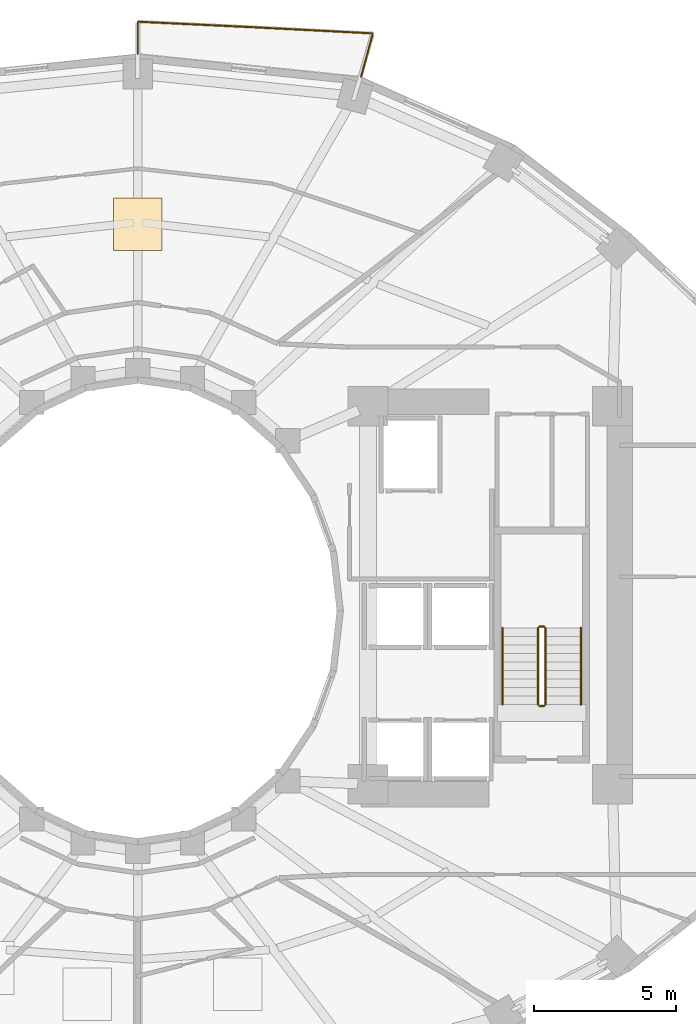
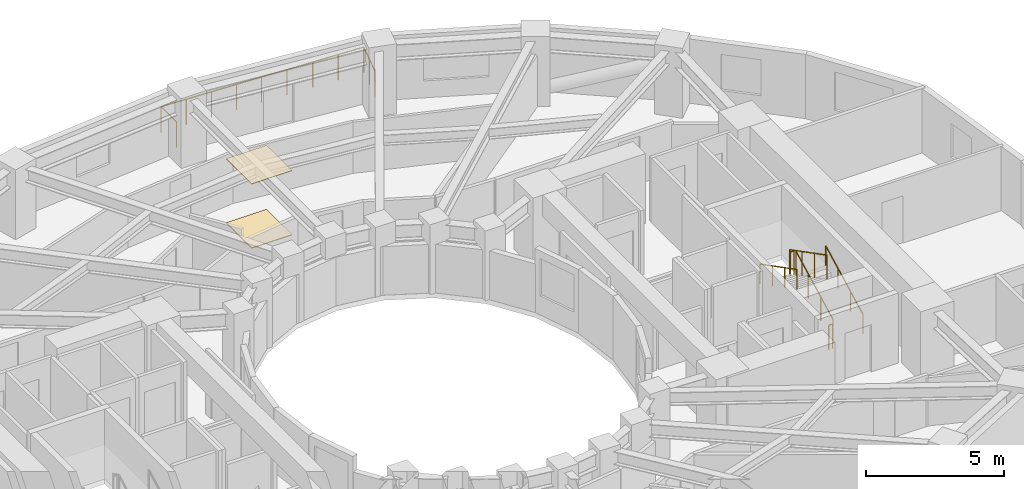
# One storey, part 9 of 9: 7 railings, 2 coverings.
"""IFC4 building model written with IfcOpenShell, lengths in metres."""

from ifc_helpers import new_model, si_unit, direction, frame, origin, origin_2d, place, context, subcontext, project, spatial, polyline, circle, outline, extrude, material, layer, layer_set, type_object, element, save


model = new_model("IFC4")

# Units and contexts
model_context = context("Model", 3, precision=1e-05, world=origin(), true_north=direction((0.0, 1.0)))
body_context = subcontext(model_context, "Body", "Model", "MODEL_VIEW")
ifc_project = project(units=[si_unit("LENGTHUNIT", "METRE"), si_unit("AREAUNIT", "SQUARE_METRE"), si_unit("VOLUMEUNIT", "CUBIC_METRE"), si_unit("PLANEANGLEUNIT", "RADIAN"), si_unit("MASSUNIT", "GRAM", prefix="KILO")], contexts=[model_context])

# Site, building, storey
site_placement = place(None, origin())
site = spatial("IfcSite", under=ifc_project, at=site_placement, CompositionType="ELEMENT")
building_placement = place(site_placement, origin())
building = spatial("IfcBuilding", under=site, at=building_placement, Name="Solvane Sanctuary Tower", CompositionType="ELEMENT")
storey_placement = place(building_placement, frame((0.0, 0.0, 79.39990234375)))
storey = spatial("IfcBuildingStorey", under=building, at=storey_placement, Name="L23", CompositionType="ELEMENT", Elevation=79.39990234375)

# Coverings
ifc_material_1 = material(Name="Acoustic Gypsum Partition Board")
ifc_layer_1 = layer(ifc_material_1, 0.02490234375, Name="Acoustic Gypsum Partition Board")
ifc_layer_set_1 = layer_set([ifc_layer_1], Name="Acoustic Gypsum Partition Board")
covering_type_1 = type_object("IfcCoveringType", Name="Covering CLG-ACOUST", PredefinedType="CEILING", material=ifc_layer_set_1)
covering_1_placement = place(storey_placement, frame((0.0, 0.0, 2.85009765625)))
element("IfcCovering", 1, at=covering_1_placement, inside=storey, type_object=covering_type_1, Name="L23 Unit Acoustic Ceiling Panel 1", PredefinedType="CEILING", context=body_context, shape_type="SweptSolid", body=[
    extrude(outline(polyline([(31.14990234375, 35.675048828125), (32.85009765625, 35.675048828125), (32.85009765625, 37.52490234375), (31.14990234375, 37.52490234375), (31.14990234375, 35.675048828125)])), origin(), (0.0, 0.0, 1.0), 0.030029296875),
])
ifc_material_2 = material(Name="Ceramic Tile Finish")
ifc_layer_2 = layer(ifc_material_2, 0.030029296875, Name="Ceramic Tile Finish")
ifc_layer_set_2 = layer_set([ifc_layer_2], Name="Ceramic Tile Finish")
covering_type_2 = type_object("IfcCoveringType", Name="Covering FLR-TERRAZZO", PredefinedType="FLOORING", material=ifc_layer_set_2)
covering_2_placement = place(storey_placement, origin())
element("IfcCovering", 2, at=covering_2_placement, inside=storey, type_object=covering_type_2, Name="L23 Unit Terrazzo Inlay 1", PredefinedType="FLOORING", context=body_context, shape_type="SweptSolid", body=[
    extrude(outline(polyline([(31.14990234375, 35.675048828125), (32.85009765625, 35.675048828125), (32.85009765625, 37.52490234375), (31.14990234375, 37.52490234375), (31.14990234375, 35.675048828125)])), origin(), (0.0, 0.0, 1.0), 0.03515625),
])

# Railings
ifc_material_3 = material(Name="Architectural Stainless Steel 316", Category="steel")
railing_type_1 = type_object("IfcRailingType", Name="Railing GR-BALC-1150", PredefinedType="BALUSTRADE", material=ifc_material_3)
railing_1_placement = place(storey_placement, frame((39.861328125, 41.795166015625, 0.0)))
element("IfcRailing", 3, at=railing_1_placement, inside=storey, type_object=railing_type_1, Name="L23 Wave Balcony Balustrade NC", PredefinedType="BALUSTRADE", context=body_context, shape_type="SweptSolid", body=[
    extrude(circle(Radius=0.02392578125, at=origin_2d()), frame((0.0, 0.0, 1.1259765625), z_axis=(0.258860199722, 0.965914798002, 0.0), x_axis=(-0.965914798002, 0.258860199722, 0.0)), (0.0, 0.0, 1.0), 1.5732421875),
    extrude(circle(Radius=0.02392578125, at=origin_2d()), frame((0.4072265625, 1.51953125, 1.1259765625), z_axis=(-0.998676732726, 0.051427458729, 0.0), x_axis=(-0.051427458729, -0.998676732726, 0.0)), (0.0, 0.0, 1.0), 4.168212890625),
    extrude(circle(Radius=0.02392578125, at=origin_2d()), frame((-3.75537109375, 1.73388671875, 1.1259765625), z_axis=(-0.998856417255, 0.047810644303, 0.0), x_axis=(-0.047810644303, -0.998856417255, 0.0)), (0.0, 0.0, 1.0), 4.110595703125),
    extrude(circle(Radius=0.02392578125, at=origin_2d()), frame((-7.861328125, 1.930419921875, 1.1259765625), z_axis=(0.0, -1.0, 0.0), x_axis=(1.0, 0.0, 0.0)), (0.0, 0.0, 1.0), 1.12548828125),
    extrude(circle(Radius=0.02099609375, at=origin_2d()), origin(), (0.0, 0.0, 1.0), 1.101806640625),
    extrude(circle(Radius=0.02099609375, at=origin_2d()), frame((0.20361328125, 0.759765625, 0.0)), (0.0, 0.0, 1.0), 1.101806640625),
    extrude(circle(Radius=0.02099609375, at=origin_2d()), frame((0.4072265625, 1.51953125, 0.0)), (0.0, 0.0, 1.0), 1.101806640625),
    extrude(circle(Radius=0.02099609375, at=origin_2d()), frame((-0.63330078125, 1.5732421875, 0.0)), (0.0, 0.0, 1.0), 1.101806640625),
    extrude(circle(Radius=0.02099609375, at=origin_2d()), frame((-1.674072265625, 1.626708984375, 0.0)), (0.0, 0.0, 1.0), 1.101806640625),
    extrude(circle(Radius=0.02099609375, at=origin_2d()), frame((-2.71484375, 1.68017578125, 0.0)), (0.0, 0.0, 1.0), 1.101806640625),
    extrude(circle(Radius=0.02099609375, at=origin_2d()), frame((-3.75537109375, 1.73388671875, 0.0)), (0.0, 0.0, 1.0), 1.101806640625),
    extrude(circle(Radius=0.02099609375, at=origin_2d()), frame((-4.78173828125, 1.782958984375, 0.0)), (0.0, 0.0, 1.0), 1.101806640625),
    extrude(circle(Radius=0.02099609375, at=origin_2d()), frame((-5.808349609375, 1.83203125, 0.0)), (0.0, 0.0, 1.0), 1.101806640625),
    extrude(circle(Radius=0.02099609375, at=origin_2d()), frame((-6.8349609375, 1.88134765625, 0.0)), (0.0, 0.0, 1.0), 1.101806640625),
    extrude(circle(Radius=0.02099609375, at=origin_2d()), frame((-7.861328125, 1.930419921875, 0.0)), (0.0, 0.0, 1.0), 1.101806640625),
    extrude(circle(Radius=0.02099609375, at=origin_2d()), frame((-7.861328125, 0.804931640625, 0.0)), (0.0, 0.0, 1.0), 1.101806640625),
])
railing_2_placement = place(storey_placement, frame((46.340087890625, 19.699951171875, 0.155029296875)))
element("IfcRailing", 4, at=railing_2_placement, inside=storey, type_object=railing_type_1, Name="L23 ST-2 stair guard 1", PredefinedType="BALUSTRADE", context=body_context, shape_type="SweptSolid", body=[
    extrude(circle(Radius=0.02392578125, at=origin_2d()), frame((0.0, 0.0, 1.076171875), z_axis=(0.0, 0.888419900624, 0.459031676658), x_axis=(-1.0, 0.0, 0.0)), (0.0, 0.0, 1.0), 3.0390625),
    extrude(circle(Radius=0.02099609375, at=origin_2d()), origin(), (0.0, 0.0, 1.0), 1.052001953125),
    extrude(circle(Radius=0.02099609375, at=origin_2d()), frame((0.0, 0.89990234375, 0.465087890625)), (0.0, 0.0, 1.0), 1.052001953125),
    extrude(circle(Radius=0.02099609375, at=origin_2d()), frame((0.0, 1.800048828125, 0.929931640625)), (0.0, 0.0, 1.0), 1.052001953125),
    extrude(circle(Radius=0.02099609375, at=origin_2d()), frame((0.0, 2.699951171875, 1.39501953125)), (0.0, 0.0, 1.0), 1.052001953125),
])
railing_3_placement = place(storey_placement, frame((46.2900390625, 22.449951171875, 1.550048828125)))
element("IfcRailing", 5, at=railing_3_placement, inside=storey, type_object=railing_type_1, Name="L23 ST-2 stair guard 2", PredefinedType="BALUSTRADE", context=body_context, shape_type="SweptSolid", body=[
    extrude(circle(Radius=0.02392578125, at=origin_2d()), frame((0.0, 0.0, 1.076171875), z_axis=(-1.0, 0.0, 0.0), x_axis=(0.0, -1.0, 0.0)), (0.0, 0.0, 1.0), 0.16015625),
    extrude(circle(Radius=0.02099609375, at=origin_2d()), origin(), (0.0, 0.0, 1.0), 1.052001953125),
    extrude(circle(Radius=0.02099609375, at=origin_2d()), frame((-0.16015625, 0.0, 0.0)), (0.0, 0.0, 1.0), 1.052001953125),
])
railing_4_placement = place(storey_placement, frame((46.080078125, 22.39990234375, 1.705078125)))
element("IfcRailing", 6, at=railing_4_placement, inside=storey, type_object=railing_type_1, Name="L23 ST-2 stair guard 3", PredefinedType="BALUSTRADE", context=body_context, shape_type="SweptSolid", body=[
    extrude(circle(Radius=0.02392578125, at=origin_2d()), frame((0.0, 0.0, 1.076171875), z_axis=(0.0, -0.888419900624, 0.459031676658), x_axis=(1.0, 0.0, 0.0)), (0.0, 0.0, 1.0), 3.0390625),
    extrude(circle(Radius=0.02099609375, at=origin_2d()), origin(), (0.0, 0.0, 1.0), 1.052001953125),
    extrude(circle(Radius=0.02099609375, at=origin_2d()), frame((0.0, -0.89990234375, 0.465087890625)), (0.0, 0.0, 1.0), 1.052001953125),
    extrude(circle(Radius=0.02099609375, at=origin_2d()), frame((0.0, -1.800048828125, 0.929931640625)), (0.0, 0.0, 1.0), 1.052001953125),
    extrude(circle(Radius=0.02099609375, at=origin_2d()), frame((0.0, -2.699951171875, 1.39501953125)), (0.0, 0.0, 1.0), 1.052001953125),
])
railing_5_placement = place(storey_placement, frame((46.2900390625, 19.64990234375, 0.0)))
element("IfcRailing", 7, at=railing_5_placement, inside=storey, type_object=railing_type_1, Name="L23 ST-2 stair guard 4", PredefinedType="BALUSTRADE", context=body_context, shape_type="SweptSolid", body=[
    extrude(circle(Radius=0.02392578125, at=origin_2d()), frame((0.0, 0.0, 1.076171875), z_axis=(-1.0, 0.0, 0.0), x_axis=(0.0, -1.0, 0.0)), (0.0, 0.0, 1.0), 0.16015625),
    extrude(circle(Radius=0.02099609375, at=origin_2d()), origin(), (0.0, 0.0, 1.0), 1.052001953125),
    extrude(circle(Radius=0.02099609375, at=origin_2d()), frame((-0.16015625, 0.0, 0.0)), (0.0, 0.0, 1.0), 1.052001953125),
])
railing_type_2 = type_object("IfcRailingType", Name="Railing HR-STAIR-920", PredefinedType="HANDRAIL", material=ifc_material_3)
railing_6_placement = place(storey_placement, frame((47.590087890625, 19.699951171875, 0.155029296875)))
element("IfcRailing", 8, at=railing_6_placement, inside=storey, type_object=railing_type_2, Name="L23 ST-2 stair handrail 1", PredefinedType="HANDRAIL", context=body_context, shape_type="SweptSolid", body=[
    extrude(circle(Radius=0.02392578125, at=origin_2d()), frame((0.0, 0.0, 0.8759765625), z_axis=(0.0, 0.888419900624, 0.459031676658), x_axis=(-1.0, 0.0, 0.0)), (0.0, 0.0, 1.0), 3.0390625),
    extrude(circle(Radius=0.02099609375, at=origin_2d()), origin(), (0.0, 0.0, 1.0), 0.851806640625),
    extrude(circle(Radius=0.02099609375, at=origin_2d()), frame((0.0, 0.89990234375, 0.465087890625)), (0.0, 0.0, 1.0), 0.851806640625),
    extrude(circle(Radius=0.02099609375, at=origin_2d()), frame((0.0, 1.800048828125, 0.929931640625)), (0.0, 0.0, 1.0), 0.851806640625),
    extrude(circle(Radius=0.02099609375, at=origin_2d()), frame((0.0, 2.699951171875, 1.39501953125)), (0.0, 0.0, 1.0), 0.851806640625),
])
railing_7_placement = place(storey_placement, frame((44.830078125, 22.39990234375, 1.705078125)))
element("IfcRailing", 9, at=railing_7_placement, inside=storey, type_object=railing_type_2, Name="L23 ST-2 stair handrail 2", PredefinedType="HANDRAIL", context=body_context, shape_type="SweptSolid", body=[
    extrude(circle(Radius=0.02392578125, at=origin_2d()), frame((0.0, 0.0, 0.8759765625), z_axis=(0.0, -0.888419900624, 0.459031676658), x_axis=(1.0, 0.0, 0.0)), (0.0, 0.0, 1.0), 3.0390625),
    extrude(circle(Radius=0.02099609375, at=origin_2d()), origin(), (0.0, 0.0, 1.0), 0.851806640625),
    extrude(circle(Radius=0.02099609375, at=origin_2d()), frame((0.0, -0.89990234375, 0.465087890625)), (0.0, 0.0, 1.0), 0.851806640625),
    extrude(circle(Radius=0.02099609375, at=origin_2d()), frame((0.0, -1.800048828125, 0.929931640625)), (0.0, 0.0, 1.0), 0.851806640625),
    extrude(circle(Radius=0.02099609375, at=origin_2d()), frame((0.0, -2.699951171875, 1.39501953125)), (0.0, 0.0, 1.0), 0.851806640625),
])

save(model, "model.ifc")
